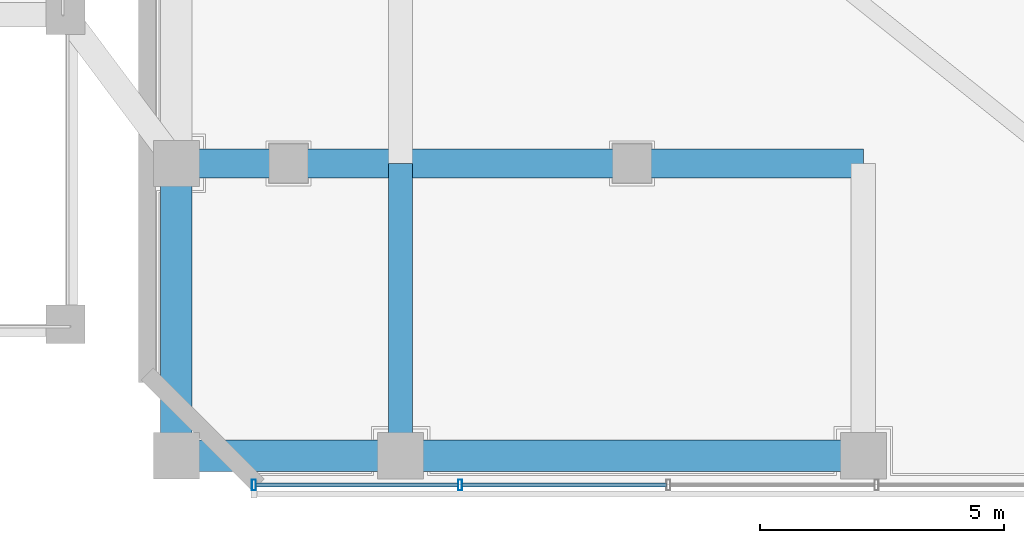
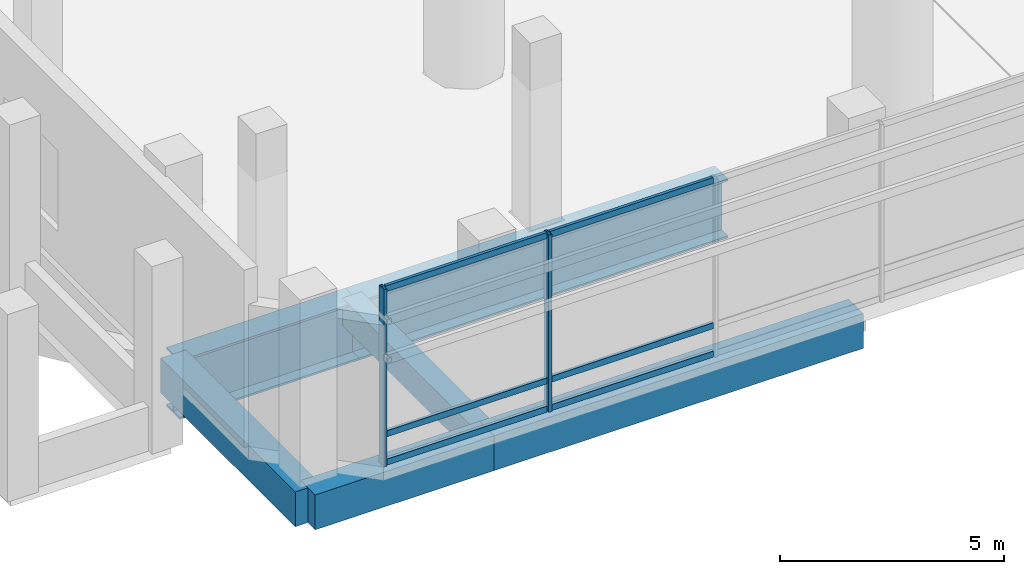
# One storey, part 2 of 31: 8 members, 6 beams, 1 element without a shape of its own.
"""IFC4 building model written with IfcOpenShell, lengths in metres."""

from ifc_helpers import new_model, si_unit, direction, frame, origin, origin_2d, place, context, subcontext, project, spatial, rectangle, hollow_rectangle, i_section, extrude, source, transform, mapped, material, material_profile, profile_set, type_object, element, aggregate, save


model = new_model("IFC4")

# Units and contexts
model_context = context("Model", 3, precision=1e-05, world=origin(), true_north=direction((-0.2419218956, 0.970295726276)))
body_context = subcontext(model_context, "Body", "Model", "MODEL_VIEW")
ifc_project = project(units=[si_unit("LENGTHUNIT", "METRE"), si_unit("AREAUNIT", "SQUARE_METRE"), si_unit("VOLUMEUNIT", "CUBIC_METRE"), si_unit("PLANEANGLEUNIT", "RADIAN"), si_unit("MASSUNIT", "GRAM", prefix="KILO")], contexts=[model_context])

# Site, building, storey
site_placement = place(None, origin())
site = spatial("IfcSite", under=ifc_project, at=site_placement, CompositionType="ELEMENT")
building_placement = place(site_placement, origin())
building = spatial("IfcBuilding", under=site, at=building_placement, Name="Cobrevalo Terracotta Tower", CompositionType="ELEMENT")
storey_placement = place(building_placement, frame((0.0, 0.0, 18.89990234375)))
storey = spatial("IfcBuildingStorey", under=building, at=storey_placement, Name="L04", CompositionType="ELEMENT", Elevation=18.89990234375)

# Beams
ifc_material_1 = material(Name="Concrete C50", Category="concrete")
ifc_material_profile_1 = material_profile(ifc_material_1, rectangle(XDim=0.64990234375, YDim=0.949951171875, at=origin_2d()), Name="RC BM 650x950")
ifc_profile_set_1 = profile_set([ifc_material_profile_1], Name="Concrete C50")
beam_type_1 = type_object("IfcBeamType", Name="Structural Spandrel RC BM 650x950 (Concrete C50)", PredefinedType="SPANDREL", material=ifc_profile_set_1)
beam_1_placement = place(storey_placement, frame((4.39990234375, 2.800048828125, -0.9248046875), z_axis=(0.0, 1.0, 0.0), x_axis=(-1.0, 0.0, 0.0)))
element("IfcBeam", 1, at=beam_1_placement, inside=storey, type_object=beam_type_1, Name="L04 podium grid beam G1-GA to G1-GB", PredefinedType="SPANDREL", context=body_context, shape_type="SweptSolid", body=[
    extrude(rectangle(XDim=0.64990234375, YDim=0.949951171875, at=origin_2d()), origin(), (0.0, 0.0, 1.0), 6.0),
])
beam_2_placement = place(storey_placement, frame((4.39990234375, 2.800048828125, -0.9248046875), z_axis=(1.0, 0.0, 0.0), x_axis=(0.0, 1.0, 0.0)))
element("IfcBeam", 2, at=beam_2_placement, inside=storey, type_object=beam_type_1, Name="L04 podium grid beam G1-GA to G2-GA", PredefinedType="SPANDREL", context=body_context, shape_type="SweptSolid", body=[
    extrude(rectangle(XDim=0.64990234375, YDim=0.949951171875, at=origin_2d()), origin(), (0.0, 0.0, 1.0), 4.60009765625),
])
beam_3_placement = place(storey_placement, frame((9.0, 2.800048828125, -0.9248046875), z_axis=(1.0, 0.0, 0.0), x_axis=(0.0, 1.0, 0.0)))
element("IfcBeam", 3, at=beam_3_placement, inside=storey, type_object=beam_type_1, Name="L04 podium grid beam G2-GA to G3-GA", PredefinedType="SPANDREL", context=body_context, shape_type="SweptSolid", body=[
    extrude(rectangle(XDim=0.64990234375, YDim=0.949951171875, at=origin_2d()), origin(), (0.0, 0.0, 1.0), 9.5),
])
ifc_material_profile_2 = material_profile(ifc_material_1, rectangle(XDim=0.5, YDim=0.75, at=origin_2d()), Name="RC BM 500x750")
ifc_profile_set_2 = profile_set([ifc_material_profile_2], Name="Concrete C50")
beam_type_2 = type_object("IfcBeamType", Name="Structural T Beam RC BM 500x750 (Concrete C50)", PredefinedType="T_BEAM", material=ifc_profile_set_2)
beam_4_placement = place(storey_placement, frame((9.0, 2.800048828125, -0.824951171875), z_axis=(0.0, 1.0, 0.0), x_axis=(-1.0, 0.0, 0.0)))
element("IfcBeam", 4, at=beam_4_placement, inside=storey, type_object=beam_type_2, Name="L04 podium grid beam G2-GA to G2-GB", PredefinedType="T_BEAM", context=body_context, shape_type="SweptSolid", body=[
    extrude(rectangle(XDim=0.5, YDim=0.75, at=origin_2d()), origin(), (0.0, 0.0, 1.0), 6.0),
])
ifc_material_2 = material(Name="Steel S355", Category="steel")
ifc_material_profile_3 = material_profile(ifc_material_2, i_section(OverallWidth=0.60009765625, OverallDepth=1.60009765625, WebThickness=0.031982421875, FlangeThickness=0.054931640625, at=origin_2d()), Name="PG 1600x600")
ifc_profile_set_3 = profile_set([ifc_material_profile_3], Name="Steel S355")
beam_type_3 = type_object("IfcBeamType", Name="Transfer Girder PG 1600x600 (Steel S355)", PredefinedType="BEAM", material=ifc_profile_set_3)
beam_5_placement = place(storey_placement, frame((4.39990234375, 8.800048828125, -1.25), z_axis=(1.0, 0.0, 0.0), x_axis=(0.0, 1.0, 0.0)))
element("IfcBeam", 5, at=beam_5_placement, inside=storey, type_object=beam_type_3, Name="L04 podium transfer girder TG-W1", PredefinedType="BEAM", context=body_context, shape_type="SweptSolid", body=[
    extrude(i_section(OverallWidth=0.60009765625, OverallDepth=1.60009765625, WebThickness=0.031982421875, FlangeThickness=0.054931640625, at=origin_2d()), origin(), (0.0, 0.0, 1.0), 4.60009765625),
])
beam_6_placement = place(storey_placement, frame((9.0, 8.800048828125, -1.25), z_axis=(1.0, 0.0, 0.0), x_axis=(0.0, 1.0, 0.0)))
element("IfcBeam", 6, at=beam_6_placement, inside=storey, type_object=beam_type_3, Name="L04 podium transfer girder TG-W2", PredefinedType="BEAM", context=body_context, shape_type="SweptSolid", body=[
    extrude(i_section(OverallWidth=0.60009765625, OverallDepth=1.60009765625, WebThickness=0.031982421875, FlangeThickness=0.054931640625, at=origin_2d()), origin(), (0.0, 0.0, 1.0), 9.5),
])

# Curtain wall, members
ifc_material_3 = material(Name="Anodized aluminium", Category="aluminium")
curtain_wall_type = type_object("IfcCurtainWallType", Name="Podium gallery & conservatory curtain wall CW-S2", PredefinedType="NOTDEFINED", material=ifc_material_3)
curtain_wall_placement = place(storey_placement, origin())
curtain_wall = element("IfcCurtainWall", 7, at=curtain_wall_placement, inside=storey, type_object=curtain_wall_type, Name="L04 curtain wall CW-POD-L04-S", PredefinedType="NOTDEFINED")
ifc_material_profile_4 = material_profile(ifc_material_3, hollow_rectangle(XDim=0.080078125, YDim=0.1650390625, WallThickness=0.00439453125, at=origin_2d()), Name="CWT 80x165")
ifc_profile_set_4 = profile_set([ifc_material_profile_4], Name="Anodized aluminium")
member_type_1 = type_object("IfcMemberType", Name="Storefront & atrium aluminium transom 80x165", PredefinedType="USERDEFINED", material=ifc_profile_set_4)
shared_shape_1 = source(origin(), body_context, "Body", "SweptSolid", [
    extrude(hollow_rectangle(XDim=0.080078125, YDim=0.1650390625, WallThickness=0.00439453125, at=origin_2d()), origin(), (0.0, 0.0, 1.0), 4.1533203125),
])
member_1_placement = place(storey_placement, frame((6.030029296875, 2.199951171875, 0.050048828125), z_axis=(1.0, 0.0, 0.0), x_axis=(0.0, 1.0, 0.0)))
member_1 = element("IfcMember", 8, at=member_1_placement, type_object=member_type_1, Name="CW-POD-L04-S transom B01-T1", ObjectType="TRANSOM", PredefinedType="USERDEFINED", context=body_context, shape_type="MappedRepresentation", body=[
    mapped(shared_shape_1, transform((0.0, 0.0, 0.0), scale=1.0)),
])
member_2_placement = place(storey_placement, frame((6.030029296875, 2.199951171875, 0.820068359375), z_axis=(1.0, 0.0, 0.0), x_axis=(0.0, 1.0, 0.0)))
member_2 = element("IfcMember", 9, at=member_2_placement, type_object=member_type_1, Name="CW-POD-L04-S transom B01-T2", ObjectType="TRANSOM", PredefinedType="USERDEFINED", context=body_context, shape_type="MappedRepresentation", body=[
    mapped(shared_shape_1, transform((0.0, 0.0, 0.0), scale=1.0)),
])
member_3_placement = place(storey_placement, frame((6.030029296875, 2.199951171875, 4.77001953125), z_axis=(1.0, 0.0, 0.0), x_axis=(0.0, 1.0, 0.0)))
member_3 = element("IfcMember", 10, at=member_3_placement, type_object=member_type_1, Name="CW-POD-L04-S transom B01-T3", ObjectType="TRANSOM", PredefinedType="USERDEFINED", context=body_context, shape_type="MappedRepresentation", body=[
    mapped(shared_shape_1, transform((0.0, 0.0, 0.0), scale=1.0)),
])
shared_shape_2 = source(origin(), body_context, "Body", "SweptSolid", [
    extrude(hollow_rectangle(XDim=0.080078125, YDim=0.1650390625, WallThickness=0.00439453125, at=origin_2d()), origin(), (0.0, 0.0, 1.0), 4.193359375),
])
member_4_placement = place(storey_placement, frame((10.263427734375, 2.199951171875, 0.050048828125), z_axis=(1.0, 0.0, 0.0), x_axis=(0.0, 1.0, 0.0)))
member_4 = element("IfcMember", 11, at=member_4_placement, type_object=member_type_1, Name="CW-POD-L04-S transom B02-T1", ObjectType="TRANSOM", PredefinedType="USERDEFINED", context=body_context, shape_type="MappedRepresentation", body=[
    mapped(shared_shape_2, transform((0.0, 0.0, 0.0), scale=1.0)),
])
member_5_placement = place(storey_placement, frame((10.263427734375, 2.199951171875, 0.820068359375), z_axis=(1.0, 0.0, 0.0), x_axis=(0.0, 1.0, 0.0)))
member_5 = element("IfcMember", 12, at=member_5_placement, type_object=member_type_1, Name="CW-POD-L04-S transom B02-T2", ObjectType="TRANSOM", PredefinedType="USERDEFINED", context=body_context, shape_type="MappedRepresentation", body=[
    mapped(shared_shape_2, transform((0.0, 0.0, 0.0), scale=1.0)),
])
member_6_placement = place(storey_placement, frame((10.263427734375, 2.199951171875, 4.77001953125), z_axis=(1.0, 0.0, 0.0), x_axis=(0.0, 1.0, 0.0)))
member_6 = element("IfcMember", 13, at=member_6_placement, type_object=member_type_1, Name="CW-POD-L04-S transom B02-T3", ObjectType="TRANSOM", PredefinedType="USERDEFINED", context=body_context, shape_type="MappedRepresentation", body=[
    mapped(shared_shape_2, transform((0.0, 0.0, 0.0), scale=1.0)),
])
ifc_material_profile_5 = material_profile(ifc_material_3, hollow_rectangle(XDim=0.080078125, YDim=0.219970703125, WallThickness=0.0048828125, at=origin_2d()), Name="CWM 80x220")
ifc_profile_set_5 = profile_set([ifc_material_profile_5], Name="Anodized aluminium")
member_type_2 = type_object("IfcMemberType", Name="Storefront & atrium aluminium mullion 80x220", PredefinedType="MULLION", material=ifc_profile_set_5)
shared_shape_3 = source(origin(), body_context, "Body", "SweptSolid", [
    extrude(hollow_rectangle(XDim=0.080078125, YDim=0.219970703125, WallThickness=0.0048828125, at=origin_2d()), origin(), (0.0, 0.0, 1.0), 4.820068359375),
])
member_7_placement = place(storey_placement, frame((5.989990234375, 2.199951171875, 0.0), z_axis=(0.0, 0.0, 1.0), x_axis=(1.0, 0.0, 0.0)))
member_7 = element("IfcMember", 14, at=member_7_placement, type_object=member_type_2, Name="CW-POD-L04-S vertical mullion 01", PredefinedType="MULLION", context=body_context, shape_type="MappedRepresentation", body=[
    mapped(shared_shape_3, transform((0.0, 0.0, 0.0), scale=1.0)),
])
member_8_placement = place(storey_placement, frame((10.223388671875, 2.199951171875, 0.0), z_axis=(0.0, 0.0, 1.0), x_axis=(1.0, 0.0, 0.0)))
member_8 = element("IfcMember", 15, at=member_8_placement, type_object=member_type_2, Name="CW-POD-L04-S vertical mullion 02", PredefinedType="MULLION", context=body_context, shape_type="MappedRepresentation", body=[
    mapped(shared_shape_3, transform((0.0, 0.0, 0.0), scale=1.0)),
])
aggregate(curtain_wall, [member_7, member_8, member_1, member_2, member_3, member_4, member_5, member_6])

save(model, "model.ifc")
